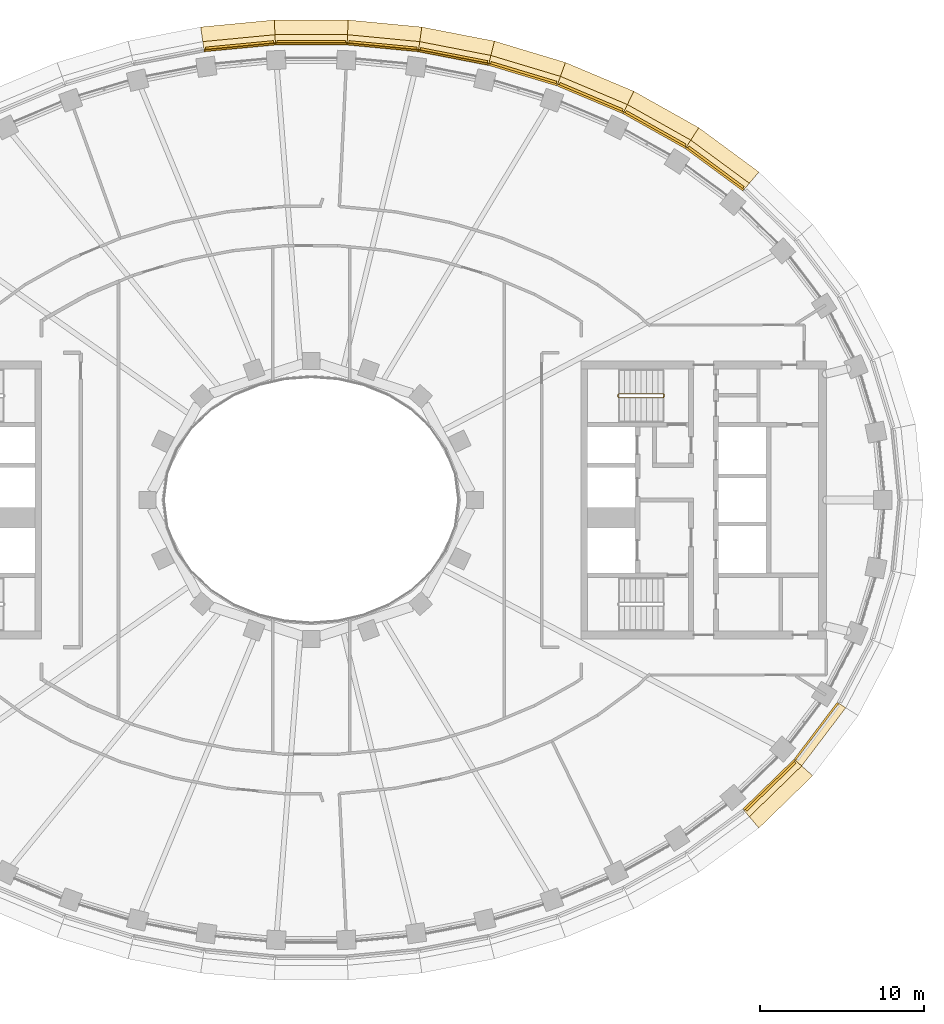
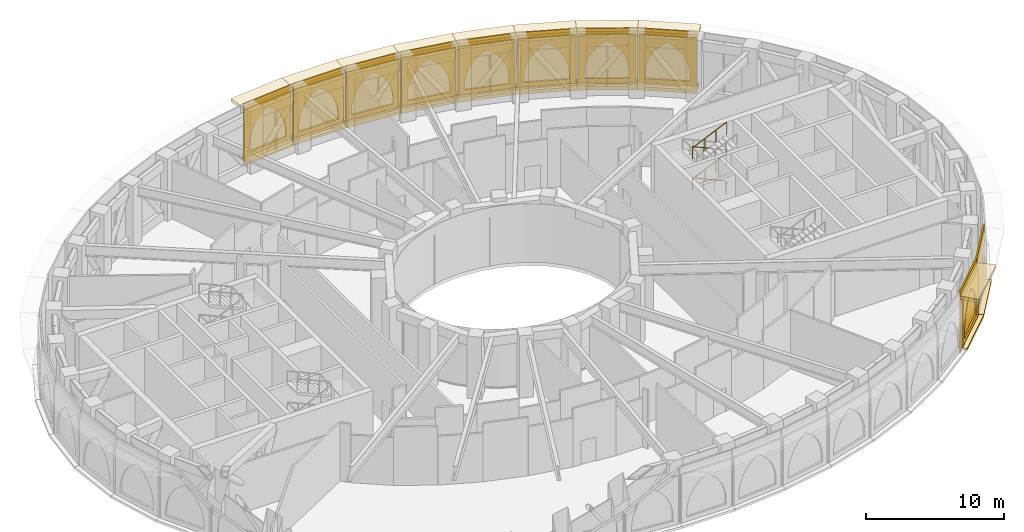
# One storey, part 24 of 25: 38 coverings, 1 railing.
"""IFC4 building model written with IfcOpenShell, lengths in metres."""

from ifc_helpers import new_model, si_unit, direction, frame, origin, origin_2d, place, context, subcontext, project, spatial, polyline, rectangle, outline, extrude, material, layer, layer_set, type_object, element, save


model = new_model("IFC4")

# Units and contexts
model_context = context("Model", 3, precision=1e-05, world=origin(), true_north=direction((0.0, 1.0)))
body_context = subcontext(model_context, "Body", "Model", "MODEL_VIEW")
ifc_project = project(units=[si_unit("LENGTHUNIT", "METRE"), si_unit("AREAUNIT", "SQUARE_METRE"), si_unit("VOLUMEUNIT", "CUBIC_METRE"), si_unit("PLANEANGLEUNIT", "RADIAN"), si_unit("MASSUNIT", "GRAM", prefix="KILO")], contexts=[model_context])

# Site, building, storey
site_placement = place(None, origin())
site = spatial("IfcSite", under=ifc_project, at=site_placement, CompositionType="ELEMENT")
building_placement = place(site_placement, origin())
building = spatial("IfcBuilding", under=site, at=building_placement, Name="Noorbagh Ring Tower", CompositionType="ELEMENT")
storey_placement = place(building_placement, frame((0.0, 0.0, 198.0)))
storey = spatial("IfcBuildingStorey", under=building, at=storey_placement, Name="L46", CompositionType="ELEMENT", Elevation=198.0)

# Railing
ifc_material_1 = material(Name="Stainless steel", Category="steel")
railing_type = type_object("IfcRailingType", Name="CORE-STAIR-GUARD", PredefinedType="GUARDRAIL", material=ifc_material_1)
railing_placement = place(storey_placement, frame((21.580078125, 6.449951171875, 0.0)))
element("IfcRailing", 1, at=railing_placement, inside=storey, type_object=railing_type, Name="L46 ST3 stair guard", PredefinedType="GUARDRAIL", context=body_context, shape_type="SweptSolid", body=[
    extrude(rectangle(XDim=0.048095703125, YDim=0.048095703125, at=origin_2d()), frame((0.0, 0.0, 1.076171875), z_axis=(0.0, -1.0, 0.0), x_axis=(1.0, 0.0, 0.0)), (0.0, 0.0, 1.0), 0.14990234375),
    extrude(rectangle(XDim=0.048095703125, YDim=0.048095703125, at=origin_2d()), frame((0.0, -0.14990234375, 1.076171875), z_axis=(-0.195046945594, 0.779236333862, 0.595606770449), x_axis=(-0.970072785993, -0.242814311512, 0.0)), (0.0, 0.0, 1.0), 0.256591796875),
    extrude(rectangle(XDim=0.048095703125, YDim=0.048095703125, at=origin_2d()), frame((-0.050048828125, 0.050048828125, 1.22900390625), z_axis=(-0.912149621895, 0.0, 0.409857374312), x_axis=(0.0, -1.0, 0.0)), (0.0, 0.0, 1.0), 2.98193359375),
    extrude(rectangle(XDim=0.048095703125, YDim=0.048095703125, at=origin_2d()), frame((-2.77001953125, 0.050048828125, 2.451171875), z_axis=(-0.707106781187, -0.707106781187, 0.0), x_axis=(0.707106781187, -0.707106781187, 0.0)), (0.0, 0.0, 1.0), 0.07080078125),
    extrude(rectangle(XDim=0.048095703125, YDim=0.048095703125, at=origin_2d()), frame((-2.820068359375, 0.0, 2.451171875), z_axis=(0.0, -1.0, 0.0), x_axis=(1.0, 0.0, 0.0)), (0.0, 0.0, 1.0), 0.14990234375),
    extrude(rectangle(XDim=0.048095703125, YDim=0.048095703125, at=origin_2d()), frame((-2.820068359375, -0.14990234375, 2.451171875), z_axis=(0.297155754911, -0.297155754911, 0.90741220768), x_axis=(0.707106781187, 0.707106781187, 0.0)), (0.0, 0.0, 1.0), 0.16845703125),
    extrude(rectangle(XDim=0.048095703125, YDim=0.048095703125, at=origin_2d()), frame((-2.77001953125, -0.199951171875, 2.60400390625), z_axis=(0.912149621895, 0.0, 0.409857374312), x_axis=(0.0, 1.0, 0.0)), (0.0, 0.0, 1.0), 2.98193359375),
    extrude(rectangle(XDim=0.048095703125, YDim=0.048095703125, at=origin_2d()), frame((-0.050048828125, -0.199951171875, 3.826171875), z_axis=(0.242814311512, 0.970072785993, 0.0), x_axis=(-0.970072785993, 0.242814311512, 0.0)), (0.0, 0.0, 1.0), 0.2060546875),
    extrude(rectangle(XDim=0.048095703125, YDim=0.048095703125, at=origin_2d()), frame((0.0, 0.0, 3.826171875), z_axis=(0.0, -1.0, 0.0), x_axis=(1.0, 0.0, 0.0)), (0.0, 0.0, 1.0), 0.14990234375),
    extrude(rectangle(XDim=0.048095703125, YDim=0.048095703125, at=origin_2d()), frame((0.0, -0.14990234375, 3.826171875), z_axis=(-0.195046945594, 0.779236333862, 0.595606770449), x_axis=(-0.970072785993, -0.242814311512, 0.0)), (0.0, 0.0, 1.0), 0.256591796875),
    extrude(rectangle(XDim=0.048095703125, YDim=0.048095703125, at=origin_2d()), frame((-0.050048828125, 0.050048828125, 3.97900390625), z_axis=(-0.912149621895, 0.0, 0.409857374312), x_axis=(0.0, -1.0, 0.0)), (0.0, 0.0, 1.0), 2.98193359375),
    extrude(rectangle(XDim=0.048095703125, YDim=0.048095703125, at=origin_2d()), frame((-2.77001953125, 0.050048828125, 5.201171875), z_axis=(-0.707106781187, -0.707106781187, 0.0), x_axis=(0.707106781187, -0.707106781187, 0.0)), (0.0, 0.0, 1.0), 0.07080078125),
    extrude(rectangle(XDim=0.048095703125, YDim=0.048095703125, at=origin_2d()), frame((-2.820068359375, 0.0, 5.201171875), z_axis=(0.0, -1.0, 0.0), x_axis=(1.0, 0.0, 0.0)), (0.0, 0.0, 1.0), 0.14990234375),
    extrude(rectangle(XDim=0.048095703125, YDim=0.048095703125, at=origin_2d()), frame((-2.820068359375, -0.14990234375, 5.201171875), z_axis=(0.297155754911, -0.297155754911, 0.90741220768), x_axis=(0.707106781187, 0.707106781187, 0.0)), (0.0, 0.0, 1.0), 0.16845703125),
    extrude(rectangle(XDim=0.048095703125, YDim=0.048095703125, at=origin_2d()), frame((-2.77001953125, -0.199951171875, 5.35400390625), z_axis=(0.912149621895, 0.0, 0.409857374312), x_axis=(0.0, 1.0, 0.0)), (0.0, 0.0, 1.0), 2.98193359375),
    extrude(rectangle(XDim=0.0419921875, YDim=0.0419921875, at=origin_2d()), origin(), (0.0, 0.0, 1.0), 1.052001953125),
    extrude(rectangle(XDim=0.0419921875, YDim=0.0419921875, at=origin_2d()), frame((-0.956787109375, 0.050048828125, 0.560302734375)), (0.0, 0.0, 1.0), 1.052001953125),
    extrude(rectangle(XDim=0.0419921875, YDim=0.0419921875, at=origin_2d()), frame((-1.86328125, 0.050048828125, 0.967529296875)), (0.0, 0.0, 1.0), 1.052001953125),
    extrude(rectangle(XDim=0.0419921875, YDim=0.0419921875, at=origin_2d()), frame((-2.77001953125, 0.050048828125, 1.375)), (0.0, 0.0, 1.0), 1.052001953125),
    extrude(rectangle(XDim=0.0419921875, YDim=0.0419921875, at=origin_2d()), frame((-1.86328125, -0.199951171875, 1.935302734375)), (0.0, 0.0, 1.0), 1.052001953125),
    extrude(rectangle(XDim=0.0419921875, YDim=0.0419921875, at=origin_2d()), frame((-0.956787109375, -0.199951171875, 2.342529296875)), (0.0, 0.0, 1.0), 1.052001953125),
    extrude(rectangle(XDim=0.0419921875, YDim=0.0419921875, at=origin_2d()), frame((-0.050048828125, -0.199951171875, 2.75)), (0.0, 0.0, 1.0), 1.052001953125),
    extrude(rectangle(XDim=0.0419921875, YDim=0.0419921875, at=origin_2d()), frame((-0.956787109375, 0.050048828125, 3.310302734375)), (0.0, 0.0, 1.0), 1.052001953125),
    extrude(rectangle(XDim=0.0419921875, YDim=0.0419921875, at=origin_2d()), frame((-1.86328125, 0.050048828125, 3.717529296875)), (0.0, 0.0, 1.0), 1.052001953125),
    extrude(rectangle(XDim=0.0419921875, YDim=0.0419921875, at=origin_2d()), frame((-2.77001953125, 0.050048828125, 4.125)), (0.0, 0.0, 1.0), 1.052001953125),
    extrude(rectangle(XDim=0.0419921875, YDim=0.0419921875, at=origin_2d()), frame((-1.86328125, -0.199951171875, 4.685302734375)), (0.0, 0.0, 1.0), 1.052001953125),
    extrude(rectangle(XDim=0.0419921875, YDim=0.0419921875, at=origin_2d()), frame((-0.956787109375, -0.199951171875, 5.092529296875)), (0.0, 0.0, 1.0), 1.052001953125),
    extrude(rectangle(XDim=0.0419921875, YDim=0.0419921875, at=origin_2d()), frame((-0.050048828125, -0.199951171875, 5.5)), (0.0, 0.0, 1.0), 1.052001953125),
])

# Coverings
ifc_material_2 = material(Name="Aluminium 6063-T6 black anodised", Category="aluminium")
ifc_layer_1 = layer(ifc_material_2, 0.1201171875)
ifc_layer_set_1 = layer_set([ifc_layer_1], Name="Aluminium 6063-T6 black anodised")
covering_type_1 = type_object("IfcCoveringType", Name="ENV-LOUVRE-BAND", PredefinedType="CLADDING", material=ifc_layer_set_1)
covering_1_placement = place(storey_placement, frame((24.662109375, 20.2353515625, -0.2998046875), z_axis=(0.0, 0.0, 1.0), x_axis=(-0.805153045326, 0.593067090304, 0.0)))
element("IfcCovering", 2, at=covering_1_placement, inside=storey, type_object=covering_type_1, Name="Louvre screen chord 06", ObjectType="LOUVRE", PredefinedType="CLADDING", context=body_context, shape_type="SweptSolid", body=[
    extrude(rectangle(XDim=4.3486328125, YDim=0.1201171875, at=origin_2d()), origin(), (0.0, 0.0, 1.0), 5.449951171875),
])
covering_2_placement = place(storey_placement, frame((20.990966796875, 22.604736328125, -0.2998046875), z_axis=(0.0, 0.0, 1.0), x_axis=(-0.872044586249, 0.48942643941, 0.0)))
element("IfcCovering", 3, at=covering_2_placement, inside=storey, type_object=covering_type_1, Name="Louvre screen chord 07", ObjectType="LOUVRE", PredefinedType="CLADDING", context=body_context, shape_type="SweptSolid", body=[
    extrude(rectangle(XDim=4.34912109375, YDim=0.1201171875, at=origin_2d()), origin(), (0.0, 0.0, 1.0), 5.449951171875),
])
covering_3_placement = place(storey_placement, frame((17.0634765625, 24.52490234375, -0.2998046875), z_axis=(0.0, 0.0, 1.0), x_axis=(-0.921811566494, 0.387638279686, 0.0)))
element("IfcCovering", 4, at=covering_3_placement, inside=storey, type_object=covering_type_1, Name="Louvre screen chord 08", ObjectType="LOUVRE", PredefinedType="CLADDING", context=body_context, shape_type="SweptSolid", body=[
    extrude(rectangle(XDim=4.349365234375, YDim=0.1201171875, at=origin_2d()), origin(), (0.0, 0.0, 1.0), 5.449951171875),
])
covering_4_placement = place(storey_placement, frame((12.947998046875, 26.0048828125, -0.2998046875), z_axis=(0.0, 0.0, 1.0), x_axis=(-0.957577925467, 0.28817445525, 0.0)))
element("IfcCovering", 5, at=covering_4_placement, inside=storey, type_object=covering_type_1, Name="Louvre screen chord 09", ObjectType="LOUVRE", PredefinedType="CLADDING", context=body_context, shape_type="SweptSolid", body=[
    extrude(rectangle(XDim=4.349609375, YDim=0.1201171875, at=origin_2d()), origin(), (0.0, 0.0, 1.0), 5.449951171875),
])
for number, where, z_axis, x_axis, name in (
    (6, (8.700927734375, 27.053955078125, -0.2998046875), (0.0, 0.0, 1.0), (-0.981624952922, 0.190820470077, 0.0), "Louvre screen chord 10"),
    (7, (4.37060546875, 27.679931640625, -0.2998046875), (0.0, 0.0, 1.0), (-0.995476497323, 0.095008122171, 0.0), "Louvre screen chord 11"),
    (8, (0.0, 27.887939453125, -0.2998046875), (0.0, 0.0, 1.0), (-1.0, 0.0, 0.0), "Louvre screen chord 12"),
    (9, (-4.37060546875, 27.679931640625, -0.2998046875), (0.0, 0.0, 1.0), (-0.995476497323, -0.095008122171, 0.0), "Louvre screen chord 13"),
):
    element("IfcCovering", number, at=place(storey_placement, frame(where, z_axis=z_axis, x_axis=x_axis)), inside=storey, type_object=covering_type_1, Name=name, ObjectType="LOUVRE", PredefinedType="CLADDING", context=body_context, shape_type="SweptSolid", body=[
        extrude(rectangle(XDim=4.349853515625, YDim=0.1201171875, at=origin_2d()), origin(), (0.0, 0.0, 1.0), 5.449951171875),
    ])
covering_5_placement = place(storey_placement, frame((27.993408203125, -17.41259765625, -0.2998046875), z_axis=(0.0, 0.0, 1.0), x_axis=(0.717224548362, 0.696842125038, 0.0)))
element("IfcCovering", 10, at=covering_5_placement, inside=storey, type_object=covering_type_1, Name="Louvre screen chord 42", ObjectType="LOUVRE", PredefinedType="CLADDING", context=body_context, shape_type="SweptSolid", body=[
    extrude(rectangle(XDim=4.347900390625, YDim=0.1201171875, at=origin_2d()), origin(), (0.0, 0.0, 1.0), 5.449951171875),
])
covering_6_placement = place(storey_placement, frame((30.883544921875, -14.145263671875, -0.2998046875), z_axis=(0.0, 0.0, 1.0), x_axis=(0.604020184358, 0.796969018776, 0.0)))
element("IfcCovering", 11, at=covering_6_placement, inside=storey, type_object=covering_type_1, Name="Louvre screen chord 43", ObjectType="LOUVRE", PredefinedType="CLADDING", context=body_context, shape_type="SweptSolid", body=[
    extrude(rectangle(XDim=4.346923828125, YDim=0.1201171875, at=origin_2d()), origin(), (0.0, 0.0, 1.0), 5.449951171875),
])
ifc_material_3 = material(Name="Red sandstone cladding", Category="masonry")
ifc_layer_2 = layer(ifc_material_3, 0.14990234375)
ifc_layer_set_2 = layer_set([ifc_layer_2], Name="Red sandstone cladding")
covering_type_2 = type_object("IfcCoveringType", Name="STYLE-BAND-ARCADE", PredefinedType="USERDEFINED", material=ifc_layer_set_2)
covering_7_placement = place(storey_placement, frame((26.471435546875, 19.163330078125, 0.25), z_axis=(0.593079629262, 0.805143809114, 0.0), x_axis=(-0.805143809114, 0.593079629262, 0.0)))
element("IfcCovering", 12, at=covering_7_placement, inside=storey, type_object=covering_type_2, Name="Blind arch bay of the band", ObjectType="ARCH", PredefinedType="USERDEFINED", context=body_context, shape_type="SweptSolid", body=[
    extrude(outline(polyline([(0.0, 0.0), (4.184814453125, 0.0), (4.184814453125, 4.25), (0.0, 4.25), (0.0, 0.0)]), holes=[polyline([(0.449951171875, 0.39990234375), (0.449951171875, 0.855224609375), (0.47802734375, 1.283935546875), (0.56201171875, 1.705322265625), (0.7001953125, 2.1123046875), (0.89013671875, 2.497802734375), (1.12890625, 2.85498046875), (1.412109375, 3.177978515625), (1.735107421875, 3.46142578125), (2.092529296875, 3.7001953125), (2.44970703125, 3.46142578125), (2.772705078125, 3.177978515625), (3.05615234375, 2.85498046875), (3.294921875, 2.497802734375), (3.48486328125, 2.1123046875), (3.623046875, 1.705322265625), (3.706787109375, 1.283935546875), (3.73486328125, 0.855224609375), (3.73486328125, 0.39990234375), (0.449951171875, 0.39990234375)])]), origin(), (0.0, 0.0, -1.0), 0.14990234375),
])
covering_8_placement = place(storey_placement, frame((22.918701171875, 21.763671875, 0.25), z_axis=(0.489402470802, 0.872058037961, 0.0), x_axis=(-0.872058037961, 0.489402470802, 0.0)))
element("IfcCovering", 13, at=covering_8_placement, inside=storey, type_object=covering_type_2, Name="Blind arch bay of the band", ObjectType="ARCH", PredefinedType="USERDEFINED", context=body_context, shape_type="SweptSolid", body=[
    extrude(outline(polyline([(0.0, 0.0), (4.185302734375, 0.0), (4.185302734375, 4.25), (0.0, 4.25), (0.0, 0.0)]), holes=[polyline([(0.449951171875, 0.39990234375), (0.449951171875, 0.854736328125), (0.47802734375, 1.28369140625), (0.56201171875, 1.705078125), (0.7001953125, 2.112060546875), (0.89013671875, 2.49755859375), (1.12890625, 2.85498046875), (1.412353515625, 3.177978515625), (1.7353515625, 3.461181640625), (2.0927734375, 3.7001953125), (2.4501953125, 3.461181640625), (2.773193359375, 3.177978515625), (3.056396484375, 2.85498046875), (3.29541015625, 2.49755859375), (3.4853515625, 2.112060546875), (3.62353515625, 1.705078125), (3.70751953125, 1.28369140625), (3.735595703125, 0.854736328125), (3.735595703125, 0.39990234375), (0.449951171875, 0.39990234375)])]), origin(), (0.0, 0.0, -1.0), 0.14990234375),
])
covering_9_placement = place(storey_placement, frame((19.07421875, 23.9072265625, 0.25), z_axis=(0.387624121421, 0.92181752017, 0.0), x_axis=(-0.92181752017, 0.387624121421, 0.0)))
element("IfcCovering", 14, at=covering_9_placement, inside=storey, type_object=covering_type_2, Name="Blind arch bay of the band", ObjectType="ARCH", PredefinedType="USERDEFINED", context=body_context, shape_type="SweptSolid", body=[
    extrude(outline(polyline([(0.0, 0.0), (4.185791015625, 0.0), (4.185791015625, 4.25), (0.0, 4.25), (0.0, 0.0)]), holes=[polyline([(0.449951171875, 0.39990234375), (0.449951171875, 0.8544921875), (0.47802734375, 1.283447265625), (0.56201171875, 1.704833984375), (0.7001953125, 2.11181640625), (0.89013671875, 2.497314453125), (1.12890625, 2.854736328125), (1.412353515625, 3.177978515625), (1.735595703125, 3.461181640625), (2.093017578125, 3.7001953125), (2.4501953125, 3.461181640625), (2.7734375, 3.177978515625), (3.056884765625, 2.854736328125), (3.295654296875, 2.497314453125), (3.485595703125, 2.11181640625), (3.623779296875, 1.704833984375), (3.707763671875, 1.283447265625), (3.73583984375, 0.8544921875), (3.73583984375, 0.39990234375), (0.449951171875, 0.39990234375)])]), origin(), (0.0, 0.0, -1.0), 0.14990234375),
])
covering_10_placement = place(storey_placement, frame((15.0126953125, 25.602783203125, 0.25), z_axis=(0.288182515773, 0.957575499688, 0.0), x_axis=(-0.957575499688, 0.288182515773, 0.0)))
element("IfcCovering", 15, at=covering_10_placement, inside=storey, type_object=covering_type_2, Name="Blind arch bay of the band", ObjectType="ARCH", PredefinedType="USERDEFINED", context=body_context, shape_type="SweptSolid", body=[
    extrude(outline(polyline([(0.0, 0.0), (4.185791015625, 0.0), (4.185791015625, 4.25), (0.0, 4.25), (0.0, 0.0)]), holes=[polyline([(0.449951171875, 0.39990234375), (0.449951171875, 0.854248046875), (0.47802734375, 1.283203125), (0.56201171875, 1.704833984375), (0.7001953125, 2.11181640625), (0.890380859375, 2.497314453125), (1.129150390625, 2.854736328125), (1.41259765625, 3.177978515625), (1.735595703125, 3.461181640625), (2.093017578125, 3.7001953125), (2.450439453125, 3.461181640625), (2.773681640625, 3.177978515625), (3.056884765625, 2.854736328125), (3.2958984375, 2.497314453125), (3.48583984375, 2.11181640625), (3.6240234375, 1.704833984375), (3.7080078125, 1.283203125), (3.736083984375, 0.854248046875), (3.736083984375, 0.39990234375), (0.449951171875, 0.39990234375)])]), origin(), (0.0, 0.0, -1.0), 0.14990234375),
])
covering_11_placement = place(storey_placement, frame((10.7958984375, 26.860595703125, 0.25), z_axis=(0.190819708322, 0.981625101001, 0.0), x_axis=(-0.981625101001, 0.190819708322, 0.0)))
element("IfcCovering", 16, at=covering_11_placement, inside=storey, type_object=covering_type_2, Name="Blind arch bay of the band", ObjectType="ARCH", PredefinedType="USERDEFINED", context=body_context, shape_type="SweptSolid", body=[
    extrude(outline(polyline([(0.0, 0.0), (4.186279296875, 0.0), (4.186279296875, 4.25), (0.0, 4.25), (0.0, 0.0)]), holes=[polyline([(0.449951171875, 0.39990234375), (0.449951171875, 0.85400390625), (0.47802734375, 1.283203125), (0.56201171875, 1.70458984375), (0.7001953125, 2.11181640625), (0.890380859375, 2.497314453125), (1.129150390625, 2.854736328125), (1.41259765625, 3.177734375), (1.735595703125, 3.461181640625), (2.093017578125, 3.7001953125), (2.450439453125, 3.461181640625), (2.773681640625, 3.177734375), (3.05712890625, 2.854736328125), (3.2958984375, 2.497314453125), (3.486083984375, 2.11181640625), (3.624267578125, 1.70458984375), (3.7080078125, 1.283203125), (3.736083984375, 0.85400390625), (3.736083984375, 0.39990234375), (0.449951171875, 0.39990234375)])]), origin(), (0.0, 0.0, -1.0), 0.14990234375),
])
covering_12_placement = place(storey_placement, frame((6.474365234375, 27.690185546875, 0.25), z_axis=(0.094998982718, 0.995477369548, 0.0), x_axis=(-0.995477369548, 0.094998982718, 0.0)))
element("IfcCovering", 17, at=covering_12_placement, inside=storey, type_object=covering_type_2, Name="Blind arch bay of the band", ObjectType="ARCH", PredefinedType="USERDEFINED", context=body_context, shape_type="SweptSolid", body=[
    extrude(outline(polyline([(0.0, 0.0), (4.1865234375, 0.0), (4.1865234375, 4.25), (0.0, 4.25), (0.0, 0.0)]), holes=[polyline([(0.449951171875, 0.39990234375), (0.449951171875, 0.85400390625), (0.47802734375, 1.282958984375), (0.56201171875, 1.70458984375), (0.7001953125, 2.11181640625), (0.890380859375, 2.497314453125), (1.129150390625, 2.8544921875), (1.41259765625, 3.177734375), (1.735595703125, 3.461181640625), (2.09326171875, 3.7001953125), (2.45068359375, 3.461181640625), (2.773681640625, 3.177734375), (3.05712890625, 2.8544921875), (3.2958984375, 2.497314453125), (3.486083984375, 2.11181640625), (3.624267578125, 1.70458984375), (3.708251953125, 1.282958984375), (3.736328125, 0.85400390625), (3.736328125, 0.39990234375), (0.449951171875, 0.39990234375)])]), origin(), (0.0, 0.0, -1.0), 0.14990234375),
])
covering_13_placement = place(storey_placement, frame((2.09326171875, 28.097900390625, 0.25), z_axis=(0.0, 1.0, 0.0), x_axis=(-1.0, 0.0, 0.0)))
element("IfcCovering", 18, at=covering_13_placement, inside=storey, type_object=covering_type_2, Name="Blind arch bay of the band", ObjectType="ARCH", PredefinedType="USERDEFINED", context=body_context, shape_type="SweptSolid", body=[
    extrude(outline(polyline([(0.0, 0.0), (4.1865234375, 0.0), (4.1865234375, 4.25), (0.0, 4.25), (0.0, 0.0)]), holes=[polyline([(0.449951171875, 0.39990234375), (0.449951171875, 0.85400390625), (0.47802734375, 1.282958984375), (0.56201171875, 1.70458984375), (0.7001953125, 2.111572265625), (0.890380859375, 2.497314453125), (1.129150390625, 2.8544921875), (1.41259765625, 3.177734375), (1.735595703125, 3.461181640625), (2.09326171875, 3.7001953125), (2.45068359375, 3.461181640625), (2.773681640625, 3.177734375), (3.05712890625, 2.8544921875), (3.296142578125, 2.497314453125), (3.486083984375, 2.111572265625), (3.62451171875, 1.70458984375), (3.708251953125, 1.282958984375), (3.736328125, 0.85400390625), (3.736328125, 0.39990234375), (0.449951171875, 0.39990234375)])]), origin(), (0.0, 0.0, -1.0), 0.14990234375),
])
covering_14_placement = place(storey_placement, frame((-2.306884765625, 28.087890625, 0.25), z_axis=(-0.094998982718, 0.995477369548, 0.0), x_axis=(-0.995477369548, -0.094998982718, 0.0)))
element("IfcCovering", 19, at=covering_14_placement, inside=storey, type_object=covering_type_2, Name="Blind arch bay of the band", ObjectType="ARCH", PredefinedType="USERDEFINED", context=body_context, shape_type="SweptSolid", body=[
    extrude(outline(polyline([(0.0, 0.0), (4.1865234375, 0.0), (4.1865234375, 4.25), (0.0, 4.25), (0.0, 0.0)]), holes=[polyline([(0.449951171875, 0.39990234375), (0.449951171875, 0.85400390625), (0.47802734375, 1.282958984375), (0.56201171875, 1.70458984375), (0.7001953125, 2.11181640625), (0.890380859375, 2.497314453125), (1.129150390625, 2.8544921875), (1.41259765625, 3.177734375), (1.735595703125, 3.461181640625), (2.09326171875, 3.7001953125), (2.45068359375, 3.461181640625), (2.773681640625, 3.177734375), (3.05712890625, 2.8544921875), (3.2958984375, 2.497314453125), (3.486083984375, 2.11181640625), (3.624267578125, 1.70458984375), (3.708251953125, 1.282958984375), (3.736328125, 0.85400390625), (3.736328125, 0.39990234375), (0.449951171875, 0.39990234375)])]), origin(), (0.0, 0.0, -1.0), 0.14990234375),
])
covering_15_placement = place(storey_placement, frame((26.639404296875, -19.021240234375, 0.25), z_axis=(0.696851724238, -0.717215221831, 0.0), x_axis=(0.717215221831, 0.696851724238, 0.0)))
element("IfcCovering", 20, at=covering_15_placement, inside=storey, type_object=covering_type_2, Name="Blind arch bay of the band", ObjectType="ARCH", PredefinedType="USERDEFINED", context=body_context, shape_type="SweptSolid", body=[
    extrude(outline(polyline([(0.0, 0.0), (4.184326171875, 0.0), (4.184326171875, 4.25), (0.0, 4.25), (0.0, 0.0)]), holes=[polyline([(0.449951171875, 0.39990234375), (0.449951171875, 0.855712890625), (0.47802734375, 1.284423828125), (0.56201171875, 1.705810546875), (0.699951171875, 2.11279296875), (0.889892578125, 2.498046875), (1.128662109375, 2.855224609375), (1.411865234375, 3.17822265625), (1.73486328125, 3.46142578125), (2.092041015625, 3.7001953125), (2.44921875, 3.46142578125), (2.772216796875, 3.17822265625), (3.0556640625, 2.855224609375), (3.294189453125, 2.498046875), (3.484130859375, 2.11279296875), (3.622314453125, 1.705810546875), (3.706298828125, 1.284423828125), (3.734130859375, 0.855712890625), (3.734130859375, 0.39990234375), (0.449951171875, 0.39990234375)])]), origin(), (0.0, 0.0, -1.0), 0.14990234375),
])
ifc_material_4 = material(Name="Red sandstone eave", Category="masonry")
covering_type_3 = type_object("IfcCoveringType", Name="STYLE-BAND-EAVE", PredefinedType="USERDEFINED", material=ifc_material_4)
covering_16_placement = place(storey_placement, frame((0.0, 0.0, 4.5)))
element("IfcCovering", 21, at=covering_16_placement, inside=storey, type_object=covering_type_3, Name="Chhajja eave", ObjectType="CHHAJJA", PredefinedType="USERDEFINED", context=body_context, shape_type="SweptSolid", body=[
    extrude(outline(polyline([(26.463134765625, 18.9833984375), (22.9326171875, 21.583740234375), (23.693115234375, 22.762451171875), (27.3701171875, 20.053955078125), (26.463134765625, 18.9833984375)])), origin(), (0.0, 0.0, 1.0), 0.300048828125),
])
covering_17_placement = place(storey_placement, frame((0.0, 0.0, 4.5)))
element("IfcCovering", 22, at=covering_17_placement, inside=storey, type_object=covering_type_3, Name="Chhajja eave", ObjectType="CHHAJJA", PredefinedType="USERDEFINED", context=body_context, shape_type="SweptSolid", body=[
    extrude(outline(polyline([(22.9326171875, 21.583740234375), (19.108154296875, 23.730224609375), (19.72412109375, 24.989990234375), (23.693115234375, 22.762451171875), (22.9326171875, 21.583740234375)])), origin(), (0.0, 0.0, 1.0), 0.300048828125),
])
covering_18_placement = place(storey_placement, frame((0.0, 0.0, 4.5)))
element("IfcCovering", 23, at=covering_18_placement, inside=storey, type_object=covering_type_3, Name="Chhajja eave", ObjectType="CHHAJJA", PredefinedType="USERDEFINED", context=body_context, shape_type="SweptSolid", body=[
    extrude(outline(polyline([(19.108154296875, 23.730224609375), (15.065185546875, 25.430419921875), (15.539794921875, 26.74951171875), (19.72412109375, 24.989990234375), (19.108154296875, 23.730224609375)])), origin(), (0.0, 0.0, 1.0), 0.300048828125),
])
covering_19_placement = place(storey_placement, frame((0.0, 0.0, 4.5)))
element("IfcCovering", 24, at=covering_19_placement, inside=storey, type_object=covering_type_3, Name="Chhajja eave", ObjectType="CHHAJJA", PredefinedType="USERDEFINED", context=body_context, shape_type="SweptSolid", body=[
    extrude(outline(polyline([(15.065185546875, 25.430419921875), (10.865234375, 26.6943359375), (11.201416015625, 28.05517578125), (15.539794921875, 26.74951171875), (15.065185546875, 25.430419921875)])), origin(), (0.0, 0.0, 1.0), 0.300048828125),
])
covering_20_placement = place(storey_placement, frame((0.0, 0.0, 4.5)))
element("IfcCovering", 25, at=covering_20_placement, inside=storey, type_object=covering_type_3, Name="Chhajja eave", ObjectType="CHHAJJA", PredefinedType="USERDEFINED", context=body_context, shape_type="SweptSolid", body=[
    extrude(outline(polyline([(10.865234375, 26.6943359375), (6.559814453125, 27.53125), (6.76025390625, 28.91845703125), (11.201416015625, 28.05517578125), (10.865234375, 26.6943359375)])), origin(), (0.0, 0.0, 1.0), 0.300048828125),
])
covering_21_placement = place(storey_placement, frame((0.0, 0.0, 4.5)))
element("IfcCovering", 26, at=covering_21_placement, inside=storey, type_object=covering_type_3, Name="Chhajja eave", ObjectType="CHHAJJA", PredefinedType="USERDEFINED", context=body_context, shape_type="SweptSolid", body=[
    extrude(outline(polyline([(6.559814453125, 27.53125), (2.193115234375, 27.947998046875), (2.259765625, 29.347900390625), (6.76025390625, 28.91845703125), (6.559814453125, 27.53125)])), origin(), (0.0, 0.0, 1.0), 0.300048828125),
])
covering_22_placement = place(storey_placement, frame((0.0, 0.0, 4.5)))
element("IfcCovering", 27, at=covering_22_placement, inside=storey, type_object=covering_type_3, Name="Chhajja eave", ObjectType="CHHAJJA", PredefinedType="USERDEFINED", context=body_context, shape_type="SweptSolid", body=[
    extrude(outline(polyline([(2.193115234375, 27.947998046875), (-2.193115234375, 27.947998046875), (-2.259765625, 29.347900390625), (2.259765625, 29.347900390625), (2.193115234375, 27.947998046875)])), origin(), (0.0, 0.0, 1.0), 0.300048828125),
])
covering_23_placement = place(storey_placement, frame((0.0, 0.0, 4.5)))
element("IfcCovering", 28, at=covering_23_placement, inside=storey, type_object=covering_type_3, Name="Chhajja eave", ObjectType="CHHAJJA", PredefinedType="USERDEFINED", context=body_context, shape_type="SweptSolid", body=[
    extrude(outline(polyline([(-2.193115234375, 27.947998046875), (-6.559814453125, 27.53125), (-6.76025390625, 28.91845703125), (-2.259765625, 29.347900390625), (-2.193115234375, 27.947998046875)])), origin(), (0.0, 0.0, 1.0), 0.300048828125),
])
covering_24_placement = place(storey_placement, frame((0.0, 0.0, 4.5)))
element("IfcCovering", 29, at=covering_24_placement, inside=storey, type_object=covering_type_3, Name="Chhajja eave", ObjectType="CHHAJJA", PredefinedType="USERDEFINED", context=body_context, shape_type="SweptSolid", body=[
    extrude(outline(polyline([(26.463134765625, -18.9833984375), (29.607666015625, -15.927978515625), (30.6591796875, -16.8583984375), (27.3701171875, -20.053955078125), (26.463134765625, -18.9833984375)])), origin(), (0.0, 0.0, 1.0), 0.300048828125),
])
ifc_material_5 = material(Name="Red sandstone eave", Category="masonry")
covering_type_4 = type_object("IfcCoveringType", Name="STYLE-BAND-SILL", PredefinedType="USERDEFINED", material=ifc_material_5)
covering_25_placement = place(storey_placement, frame((0.0, 0.0, 0.050048828125)))
element("IfcCovering", 30, at=covering_25_placement, inside=storey, type_object=covering_type_4, Name="Sill ledge", ObjectType="CHHAJJA", PredefinedType="USERDEFINED", context=body_context, shape_type="SweptSolid", body=[
    extrude(outline(polyline([(26.463134765625, 18.9833984375), (22.9326171875, 21.583740234375), (23.2041015625, 22.004638671875), (26.787109375, 19.365478515625), (26.463134765625, 18.9833984375)])), origin(), (0.0, 0.0, 1.0), 0.199951171875),
])
covering_26_placement = place(storey_placement, frame((0.0, 0.0, 0.050048828125)))
element("IfcCovering", 31, at=covering_26_placement, inside=storey, type_object=covering_type_4, Name="Sill ledge", ObjectType="CHHAJJA", PredefinedType="USERDEFINED", context=body_context, shape_type="SweptSolid", body=[
    extrude(outline(polyline([(22.9326171875, 21.583740234375), (19.108154296875, 23.730224609375), (19.328125, 24.18017578125), (23.2041015625, 22.004638671875), (22.9326171875, 21.583740234375)])), origin(), (0.0, 0.0, 1.0), 0.199951171875),
])
covering_27_placement = place(storey_placement, frame((0.0, 0.0, 0.050048828125)))
element("IfcCovering", 32, at=covering_27_placement, inside=storey, type_object=covering_type_4, Name="Sill ledge", ObjectType="CHHAJJA", PredefinedType="USERDEFINED", context=body_context, shape_type="SweptSolid", body=[
    extrude(outline(polyline([(19.108154296875, 23.730224609375), (15.065185546875, 25.430419921875), (15.234619140625, 25.901611328125), (19.328125, 24.18017578125), (19.108154296875, 23.730224609375)])), origin(), (0.0, 0.0, 1.0), 0.199951171875),
])
covering_28_placement = place(storey_placement, frame((0.0, 0.0, 0.050048828125)))
element("IfcCovering", 33, at=covering_28_placement, inside=storey, type_object=covering_type_4, Name="Sill ledge", ObjectType="CHHAJJA", PredefinedType="USERDEFINED", context=body_context, shape_type="SweptSolid", body=[
    extrude(outline(polyline([(15.065185546875, 25.430419921875), (10.865234375, 26.6943359375), (10.9853515625, 27.180419921875), (15.234619140625, 25.901611328125), (15.065185546875, 25.430419921875)])), origin(), (0.0, 0.0, 1.0), 0.199951171875),
])
covering_29_placement = place(storey_placement, frame((0.0, 0.0, 0.050048828125)))
element("IfcCovering", 34, at=covering_29_placement, inside=storey, type_object=covering_type_4, Name="Sill ledge", ObjectType="CHHAJJA", PredefinedType="USERDEFINED", context=body_context, shape_type="SweptSolid", body=[
    extrude(outline(polyline([(10.865234375, 26.6943359375), (6.559814453125, 27.53125), (6.63134765625, 28.026611328125), (10.9853515625, 27.180419921875), (10.865234375, 26.6943359375)])), origin(), (0.0, 0.0, 1.0), 0.199951171875),
])
covering_30_placement = place(storey_placement, frame((0.0, 0.0, 0.050048828125)))
element("IfcCovering", 35, at=covering_30_placement, inside=storey, type_object=covering_type_4, Name="Sill ledge", ObjectType="CHHAJJA", PredefinedType="USERDEFINED", context=body_context, shape_type="SweptSolid", body=[
    extrude(outline(polyline([(6.559814453125, 27.53125), (2.193115234375, 27.947998046875), (2.217041015625, 28.447998046875), (6.63134765625, 28.026611328125), (6.559814453125, 27.53125)])), origin(), (0.0, 0.0, 1.0), 0.199951171875),
])
covering_31_placement = place(storey_placement, frame((0.0, 0.0, 0.050048828125)))
element("IfcCovering", 36, at=covering_31_placement, inside=storey, type_object=covering_type_4, Name="Sill ledge", ObjectType="CHHAJJA", PredefinedType="USERDEFINED", context=body_context, shape_type="SweptSolid", body=[
    extrude(outline(polyline([(2.193115234375, 27.947998046875), (-2.193115234375, 27.947998046875), (-2.217041015625, 28.447998046875), (2.217041015625, 28.447998046875), (2.193115234375, 27.947998046875)])), origin(), (0.0, 0.0, 1.0), 0.199951171875),
])
covering_32_placement = place(storey_placement, frame((0.0, 0.0, 0.050048828125)))
element("IfcCovering", 37, at=covering_32_placement, inside=storey, type_object=covering_type_4, Name="Sill ledge", ObjectType="CHHAJJA", PredefinedType="USERDEFINED", context=body_context, shape_type="SweptSolid", body=[
    extrude(outline(polyline([(-2.193115234375, 27.947998046875), (-6.559814453125, 27.53125), (-6.63134765625, 28.026611328125), (-2.217041015625, 28.447998046875), (-2.193115234375, 27.947998046875)])), origin(), (0.0, 0.0, 1.0), 0.199951171875),
])
covering_33_placement = place(storey_placement, frame((0.0, 0.0, 0.050048828125)))
element("IfcCovering", 38, at=covering_33_placement, inside=storey, type_object=covering_type_4, Name="Sill ledge", ObjectType="CHHAJJA", PredefinedType="USERDEFINED", context=body_context, shape_type="SweptSolid", body=[
    extrude(outline(polyline([(26.463134765625, -18.9833984375), (29.607666015625, -15.927978515625), (29.983154296875, -16.260498046875), (26.787109375, -19.365478515625), (26.463134765625, -18.9833984375)])), origin(), (0.0, 0.0, 1.0), 0.199951171875),
])
covering_34_placement = place(storey_placement, frame((0.0, 0.0, 0.050048828125)))
element("IfcCovering", 39, at=covering_34_placement, inside=storey, type_object=covering_type_4, Name="Sill ledge", ObjectType="CHHAJJA", PredefinedType="USERDEFINED", context=body_context, shape_type="SweptSolid", body=[
    extrude(outline(polyline([(29.607666015625, -15.927978515625), (32.255126953125, -12.434814453125), (32.67919921875, -12.703125), (29.983154296875, -16.260498046875), (29.607666015625, -15.927978515625)])), origin(), (0.0, 0.0, 1.0), 0.199951171875),
])

save(model, "model.ifc")
